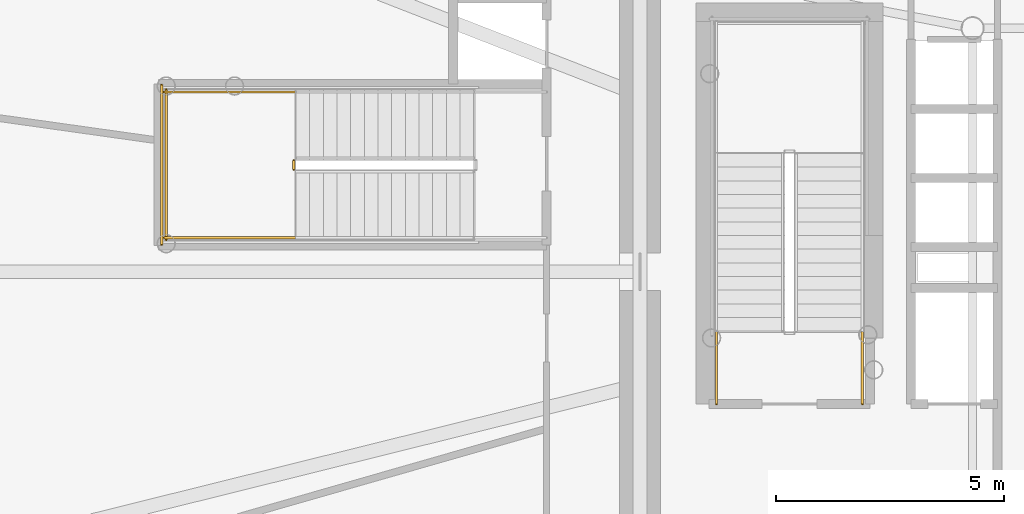
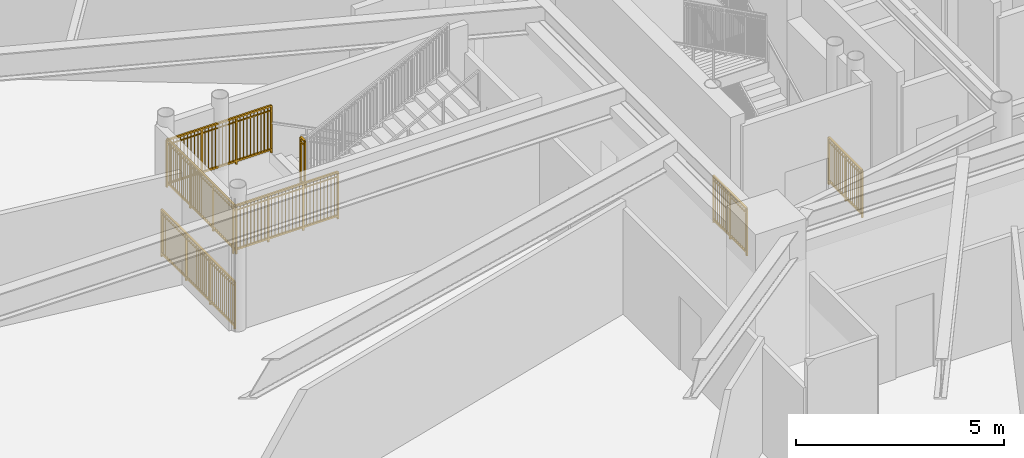
# One storey, part 18 of 27: 7 railings.
"""IFC4 building model written with IfcOpenShell, lengths in metres."""

from ifc_helpers import new_model, si_unit, direction, frame, origin, origin_2d, place, context, subcontext, project, spatial, rectangle, extrude, source, transform, mapped, material, type_object, element, save


model = new_model("IFC4")

# Units and contexts
model_context = context("Model", 3, precision=1e-05, world=origin(), true_north=direction((0.0, 1.0)))
body_context = subcontext(model_context, "Body", "Model", "MODEL_VIEW")
ifc_project = project(units=[si_unit("LENGTHUNIT", "METRE"), si_unit("AREAUNIT", "SQUARE_METRE"), si_unit("VOLUMEUNIT", "CUBIC_METRE"), si_unit("PLANEANGLEUNIT", "RADIAN"), si_unit("MASSUNIT", "GRAM", prefix="KILO")], contexts=[model_context])

# Site, building, storey
site_placement = place(None, origin())
site = spatial("IfcSite", under=ifc_project, at=site_placement, CompositionType="ELEMENT")
building_placement = place(site_placement, origin())
building = spatial("IfcBuilding", under=site, at=building_placement, Name="Linh Dai School and Residence Tower", CompositionType="ELEMENT")
storey_placement = place(building_placement, frame((0.0, 0.0, 18.60009765625)))
storey = spatial("IfcBuildingStorey", under=building, at=storey_placement, Name="L04", CompositionType="ELEMENT", Elevation=18.60009765625)

# Railings
ifc_material = material(Name="Structural Steel S355JR", Category="steel")
railing_type = type_object("IfcRailingType", Name="RL-ST-GUARD-1400", PredefinedType="GUARDRAIL", material=ifc_material)
shared_shape_1 = source(origin(), body_context, "Body", "SweptSolid", [
    extrude(rectangle(XDim=0.048095703125, YDim=0.048095703125, at=origin_2d()), frame((0.0, 0.0, 1.3759765625), z_axis=(0.0, 1.0, 0.0), x_axis=(-1.0, 0.0, 0.0)), (0.0, 0.0, 1.0), 1.599853515625),
    extrude(rectangle(XDim=0.048095703125, YDim=0.048095703125, at=origin_2d()), frame((0.0, 0.0, 0.10009765625), z_axis=(0.0, 1.0, 0.0), x_axis=(-1.0, 0.0, 0.0)), (0.0, 0.0, 1.0), 1.599853515625),
    extrude(rectangle(XDim=0.030029296875, YDim=0.030029296875, at=origin_2d()), frame((0.0, 0.0, 1.239990234375), z_axis=(0.0, 1.0, 0.0), x_axis=(-1.0, 0.0, 0.0)), (0.0, 0.0, 1.0), 1.599853515625),
    extrude(rectangle(XDim=0.02001953125, YDim=0.02001953125, at=origin_2d()), frame((0.0, 0.093994140625, 0.10009765625)), (0.0, 0.0, 1.0), 1.251708984375),
    extrude(rectangle(XDim=0.02001953125, YDim=0.02001953125, at=origin_2d()), frame((0.0, 0.188232421875, 0.10009765625)), (0.0, 0.0, 1.0), 1.251708984375),
    extrude(rectangle(XDim=0.02001953125, YDim=0.02001953125, at=origin_2d()), frame((0.0, 0.2822265625, 0.10009765625)), (0.0, 0.0, 1.0), 1.251708984375),
    extrude(rectangle(XDim=0.02001953125, YDim=0.02001953125, at=origin_2d()), frame((0.0, 0.37646484375, 0.10009765625)), (0.0, 0.0, 1.0), 1.251708984375),
    extrude(rectangle(XDim=0.02001953125, YDim=0.02001953125, at=origin_2d()), frame((0.0, 0.470458984375, 0.10009765625)), (0.0, 0.0, 1.0), 1.251708984375),
    extrude(rectangle(XDim=0.02001953125, YDim=0.02001953125, at=origin_2d()), frame((0.0, 0.564697265625, 0.10009765625)), (0.0, 0.0, 1.0), 1.251708984375),
    extrude(rectangle(XDim=0.02001953125, YDim=0.02001953125, at=origin_2d()), frame((0.0, 0.65869140625, 0.10009765625)), (0.0, 0.0, 1.0), 1.251708984375),
    extrude(rectangle(XDim=0.02001953125, YDim=0.02001953125, at=origin_2d()), frame((0.0, 0.7529296875, 0.10009765625)), (0.0, 0.0, 1.0), 1.251708984375),
    extrude(rectangle(XDim=0.02001953125, YDim=0.02001953125, at=origin_2d()), frame((0.0, 0.846923828125, 0.10009765625)), (0.0, 0.0, 1.0), 1.251708984375),
    extrude(rectangle(XDim=0.02001953125, YDim=0.02001953125, at=origin_2d()), frame((0.0, 0.941162109375, 0.10009765625)), (0.0, 0.0, 1.0), 1.251708984375),
    extrude(rectangle(XDim=0.02001953125, YDim=0.02001953125, at=origin_2d()), frame((0.0, 1.03515625, 0.10009765625)), (0.0, 0.0, 1.0), 1.251708984375),
    extrude(rectangle(XDim=0.02001953125, YDim=0.02001953125, at=origin_2d()), frame((0.0, 1.12939453125, 0.10009765625)), (0.0, 0.0, 1.0), 1.251708984375),
    extrude(rectangle(XDim=0.02001953125, YDim=0.02001953125, at=origin_2d()), frame((0.0, 1.223388671875, 0.10009765625)), (0.0, 0.0, 1.0), 1.251708984375),
    extrude(rectangle(XDim=0.02001953125, YDim=0.02001953125, at=origin_2d()), frame((0.0, 1.317626953125, 0.10009765625)), (0.0, 0.0, 1.0), 1.251708984375),
    extrude(rectangle(XDim=0.02001953125, YDim=0.02001953125, at=origin_2d()), frame((0.0, 1.41162109375, 0.10009765625)), (0.0, 0.0, 1.0), 1.251708984375),
    extrude(rectangle(XDim=0.02001953125, YDim=0.02001953125, at=origin_2d()), frame((0.0, 1.505859375, 0.10009765625)), (0.0, 0.0, 1.0), 1.251708984375),
    extrude(rectangle(XDim=0.0419921875, YDim=0.0419921875, at=origin_2d()), origin(), (0.0, 0.0, 1.0), 1.3759765625),
    extrude(rectangle(XDim=0.0419921875, YDim=0.0419921875, at=origin_2d()), frame((0.0, 0.7998046875, 0.0)), (0.0, 0.0, 1.0), 1.3759765625),
    extrude(rectangle(XDim=0.0419921875, YDim=0.0419921875, at=origin_2d()), frame((0.0, 1.599853515625, 0.0)), (0.0, 0.0, 1.0), 1.3759765625),
])
for number, where, name in (
    (1, (30.929931640625, 24.10009765625, 0.0), "L04 ST1 stair guard 8"),
    (2, (27.72998046875, 24.10009765625, 0.0), "L04 ST1 stair guard 9"),
):
    element("IfcRailing", number, at=place(storey_placement, frame(where)), inside=storey, type_object=railing_type, Name=name, PredefinedType="GUARDRAIL", context=body_context, shape_type="MappedRepresentation", body=[
        mapped(shared_shape_1, transform((0.0, 0.0, 0.0), x_axis=(1.0, 0.0, 0.0), y_axis=(0.0, 1.0, 0.0), z_axis=(0.0, 0.0, 1.0), scale=1.0)),
    ])
shared_shape_2 = source(origin(), body_context, "Body", "SweptSolid", [
    extrude(rectangle(XDim=0.048095703125, YDim=0.048095703125, at=origin_2d()), frame((0.0, 0.0, 1.3759765625), z_axis=(0.0, -1.0, 0.0), x_axis=(1.0, 0.0, 0.0)), (0.0, 0.0, 1.0), 0.199951171875),
    extrude(rectangle(XDim=0.048095703125, YDim=0.048095703125, at=origin_2d()), frame((0.0, 0.0, 0.10009765625), z_axis=(0.0, -1.0, 0.0), x_axis=(1.0, 0.0, 0.0)), (0.0, 0.0, 1.0), 0.199951171875),
    extrude(rectangle(XDim=0.030029296875, YDim=0.030029296875, at=origin_2d()), frame((0.0, 0.0, 1.239990234375), z_axis=(0.0, -1.0, 0.0), x_axis=(1.0, 0.0, 0.0)), (0.0, 0.0, 1.0), 0.199951171875),
    extrude(rectangle(XDim=0.0419921875, YDim=0.0419921875, at=origin_2d()), origin(), (0.0, 0.0, 1.0), 1.3759765625),
    extrude(rectangle(XDim=0.0419921875, YDim=0.0419921875, at=origin_2d()), frame((0.0, -0.199951171875, 0.0)), (0.0, 0.0, 1.0), 1.3759765625),
])
railing_1_placement = place(storey_placement, frame((18.449951171875, 29.449951171875, 2.099853515625)))
element("IfcRailing", 3, at=railing_1_placement, inside=storey, type_object=railing_type, Name="L04 STS1 stair guard 2", PredefinedType="GUARDRAIL", context=body_context, shape_type="MappedRepresentation", body=[
    mapped(shared_shape_2, transform((0.0, 0.0, 0.0), x_axis=(1.0, 0.0, 0.0), y_axis=(0.0, 1.0, 0.0), z_axis=(0.0, 0.0, 1.0), scale=1.0)),
])
shared_shape_3 = source(origin(), body_context, "Body", "SweptSolid", [
    extrude(rectangle(XDim=0.048095703125, YDim=0.048095703125, at=origin_2d()), frame((0.0, 0.0, 1.3759765625), z_axis=(0.0, -1.0, 0.0), x_axis=(1.0, 0.0, 0.0)), (0.0, 0.0, 1.0), 3.300048828125),
    extrude(rectangle(XDim=0.048095703125, YDim=0.048095703125, at=origin_2d()), frame((0.0, 0.0, 0.10009765625), z_axis=(0.0, -1.0, 0.0), x_axis=(1.0, 0.0, 0.0)), (0.0, 0.0, 1.0), 3.300048828125),
    extrude(rectangle(XDim=0.030029296875, YDim=0.030029296875, at=origin_2d()), frame((0.0, 0.0, 1.239990234375), z_axis=(0.0, -1.0, 0.0), x_axis=(1.0, 0.0, 0.0)), (0.0, 0.0, 1.0), 3.300048828125),
    extrude(rectangle(XDim=0.02001953125, YDim=0.02001953125, at=origin_2d()), frame((0.0, -0.09716796875, 0.10009765625)), (0.0, 0.0, 1.0), 1.251708984375),
    extrude(rectangle(XDim=0.02001953125, YDim=0.02001953125, at=origin_2d()), frame((0.0, -0.194091796875, 0.10009765625)), (0.0, 0.0, 1.0), 1.251708984375),
    extrude(rectangle(XDim=0.02001953125, YDim=0.02001953125, at=origin_2d()), frame((0.0, -0.291259765625, 0.10009765625)), (0.0, 0.0, 1.0), 1.251708984375),
    extrude(rectangle(XDim=0.02001953125, YDim=0.02001953125, at=origin_2d()), frame((0.0, -0.38818359375, 0.10009765625)), (0.0, 0.0, 1.0), 1.251708984375),
    extrude(rectangle(XDim=0.02001953125, YDim=0.02001953125, at=origin_2d()), frame((0.0, -0.4853515625, 0.10009765625)), (0.0, 0.0, 1.0), 1.251708984375),
    extrude(rectangle(XDim=0.02001953125, YDim=0.02001953125, at=origin_2d()), frame((0.0, -0.582275390625, 0.10009765625)), (0.0, 0.0, 1.0), 1.251708984375),
    extrude(rectangle(XDim=0.02001953125, YDim=0.02001953125, at=origin_2d()), frame((0.0, -0.679443359375, 0.10009765625)), (0.0, 0.0, 1.0), 1.251708984375),
    extrude(rectangle(XDim=0.02001953125, YDim=0.02001953125, at=origin_2d()), frame((0.0, -0.7763671875, 0.10009765625)), (0.0, 0.0, 1.0), 1.251708984375),
    extrude(rectangle(XDim=0.02001953125, YDim=0.02001953125, at=origin_2d()), frame((0.0, -0.87353515625, 0.10009765625)), (0.0, 0.0, 1.0), 1.251708984375),
    extrude(rectangle(XDim=0.02001953125, YDim=0.02001953125, at=origin_2d()), frame((0.0, -0.970703125, 0.10009765625)), (0.0, 0.0, 1.0), 1.251708984375),
    extrude(rectangle(XDim=0.02001953125, YDim=0.02001953125, at=origin_2d()), frame((0.0, -1.164794921875, 0.10009765625)), (0.0, 0.0, 1.0), 1.251708984375),
    extrude(rectangle(XDim=0.02001953125, YDim=0.02001953125, at=origin_2d()), frame((0.0, -1.26171875, 0.10009765625)), (0.0, 0.0, 1.0), 1.251708984375),
    extrude(rectangle(XDim=0.02001953125, YDim=0.02001953125, at=origin_2d()), frame((0.0, -1.35888671875, 0.10009765625)), (0.0, 0.0, 1.0), 1.251708984375),
    extrude(rectangle(XDim=0.02001953125, YDim=0.02001953125, at=origin_2d()), frame((0.0, -1.455810546875, 0.10009765625)), (0.0, 0.0, 1.0), 1.251708984375),
    extrude(rectangle(XDim=0.02001953125, YDim=0.02001953125, at=origin_2d()), frame((0.0, -1.552978515625, 0.10009765625)), (0.0, 0.0, 1.0), 1.251708984375),
    extrude(rectangle(XDim=0.02001953125, YDim=0.02001953125, at=origin_2d()), frame((0.0, -1.64990234375, 0.10009765625)), (0.0, 0.0, 1.0), 1.251708984375),
    extrude(rectangle(XDim=0.02001953125, YDim=0.02001953125, at=origin_2d()), frame((0.0, -1.7470703125, 0.10009765625)), (0.0, 0.0, 1.0), 1.251708984375),
    extrude(rectangle(XDim=0.02001953125, YDim=0.02001953125, at=origin_2d()), frame((0.0, -1.84423828125, 0.10009765625)), (0.0, 0.0, 1.0), 1.251708984375),
    extrude(rectangle(XDim=0.02001953125, YDim=0.02001953125, at=origin_2d()), frame((0.0, -1.941162109375, 0.10009765625)), (0.0, 0.0, 1.0), 1.251708984375),
    extrude(rectangle(XDim=0.02001953125, YDim=0.02001953125, at=origin_2d()), frame((0.0, -2.038330078125, 0.10009765625)), (0.0, 0.0, 1.0), 1.251708984375),
    extrude(rectangle(XDim=0.02001953125, YDim=0.02001953125, at=origin_2d()), frame((0.0, -2.13525390625, 0.10009765625)), (0.0, 0.0, 1.0), 1.251708984375),
    extrude(rectangle(XDim=0.02001953125, YDim=0.02001953125, at=origin_2d()), frame((0.0, -2.329345703125, 0.10009765625)), (0.0, 0.0, 1.0), 1.251708984375),
    extrude(rectangle(XDim=0.02001953125, YDim=0.02001953125, at=origin_2d()), frame((0.0, -2.426513671875, 0.10009765625)), (0.0, 0.0, 1.0), 1.251708984375),
    extrude(rectangle(XDim=0.02001953125, YDim=0.02001953125, at=origin_2d()), frame((0.0, -2.523681640625, 0.10009765625)), (0.0, 0.0, 1.0), 1.251708984375),
    extrude(rectangle(XDim=0.02001953125, YDim=0.02001953125, at=origin_2d()), frame((0.0, -2.62060546875, 0.10009765625)), (0.0, 0.0, 1.0), 1.251708984375),
    extrude(rectangle(XDim=0.02001953125, YDim=0.02001953125, at=origin_2d()), frame((0.0, -2.7177734375, 0.10009765625)), (0.0, 0.0, 1.0), 1.251708984375),
    extrude(rectangle(XDim=0.02001953125, YDim=0.02001953125, at=origin_2d()), frame((0.0, -2.814697265625, 0.10009765625)), (0.0, 0.0, 1.0), 1.251708984375),
    extrude(rectangle(XDim=0.02001953125, YDim=0.02001953125, at=origin_2d()), frame((0.0, -2.911865234375, 0.10009765625)), (0.0, 0.0, 1.0), 1.251708984375),
    extrude(rectangle(XDim=0.02001953125, YDim=0.02001953125, at=origin_2d()), frame((0.0, -3.0087890625, 0.10009765625)), (0.0, 0.0, 1.0), 1.251708984375),
    extrude(rectangle(XDim=0.02001953125, YDim=0.02001953125, at=origin_2d()), frame((0.0, -3.10595703125, 0.10009765625)), (0.0, 0.0, 1.0), 1.251708984375),
    extrude(rectangle(XDim=0.02001953125, YDim=0.02001953125, at=origin_2d()), frame((0.0, -3.202880859375, 0.10009765625)), (0.0, 0.0, 1.0), 1.251708984375),
    extrude(rectangle(XDim=0.0419921875, YDim=0.0419921875, at=origin_2d()), origin(), (0.0, 0.0, 1.0), 1.3759765625),
    extrude(rectangle(XDim=0.0419921875, YDim=0.0419921875, at=origin_2d()), frame((0.0, -1.10009765625, 0.0)), (0.0, 0.0, 1.0), 1.3759765625),
    extrude(rectangle(XDim=0.0419921875, YDim=0.0419921875, at=origin_2d()), frame((0.0, -2.199951171875, 0.0)), (0.0, 0.0, 1.0), 1.3759765625),
    extrude(rectangle(XDim=0.0419921875, YDim=0.0419921875, at=origin_2d()), frame((0.0, -3.300048828125, 0.0)), (0.0, 0.0, 1.0), 1.3759765625),
])
railing_2_placement = place(storey_placement, frame((15.64990234375, 31.0, 2.099853515625)))
element("IfcRailing", 4, at=railing_2_placement, inside=storey, type_object=railing_type, Name="L04 STS1 stair guard 5", PredefinedType="GUARDRAIL", context=body_context, shape_type="MappedRepresentation", body=[
    mapped(shared_shape_3, transform((0.0, 0.0, 0.0), x_axis=(1.0, 0.0, 0.0), y_axis=(0.0, 1.0, 0.0), z_axis=(0.0, 0.0, 1.0), scale=1.0)),
])
shared_shape_4 = source(origin(), body_context, "Body", "SweptSolid", [
    extrude(rectangle(XDim=0.048095703125, YDim=0.048095703125, at=origin_2d()), frame((0.0, 0.0, 1.3759765625), z_axis=(-1.0, 0.0, 0.0), x_axis=(0.0, -1.0, 0.0)), (0.0, 0.0, 1.0), 2.89990234375),
    extrude(rectangle(XDim=0.048095703125, YDim=0.048095703125, at=origin_2d()), frame((0.0, 0.0, 0.10009765625), z_axis=(-1.0, 0.0, 0.0), x_axis=(0.0, -1.0, 0.0)), (0.0, 0.0, 1.0), 2.89990234375),
    extrude(rectangle(XDim=0.030029296875, YDim=0.030029296875, at=origin_2d()), frame((0.0, 0.0, 1.239990234375), z_axis=(-1.0, 0.0, 0.0), x_axis=(0.0, -1.0, 0.0)), (0.0, 0.0, 1.0), 2.89990234375),
    extrude(rectangle(XDim=0.02001953125, YDim=0.02001953125, at=origin_2d()), frame((-0.0966796875, 0.0, 0.10009765625)), (0.0, 0.0, 1.0), 1.251708984375),
    extrude(rectangle(XDim=0.02001953125, YDim=0.02001953125, at=origin_2d()), frame((-0.193359375, 0.0, 0.10009765625)), (0.0, 0.0, 1.0), 1.251708984375),
    extrude(rectangle(XDim=0.02001953125, YDim=0.02001953125, at=origin_2d()), frame((-0.2900390625, 0.0, 0.10009765625)), (0.0, 0.0, 1.0), 1.251708984375),
    extrude(rectangle(XDim=0.02001953125, YDim=0.02001953125, at=origin_2d()), frame((-0.38671875, 0.0, 0.10009765625)), (0.0, 0.0, 1.0), 1.251708984375),
    extrude(rectangle(XDim=0.02001953125, YDim=0.02001953125, at=origin_2d()), frame((-0.4833984375, 0.0, 0.10009765625)), (0.0, 0.0, 1.0), 1.251708984375),
    extrude(rectangle(XDim=0.02001953125, YDim=0.02001953125, at=origin_2d()), frame((-0.580078125, 0.0, 0.10009765625)), (0.0, 0.0, 1.0), 1.251708984375),
    extrude(rectangle(XDim=0.02001953125, YDim=0.02001953125, at=origin_2d()), frame((-0.6767578125, 0.0, 0.10009765625)), (0.0, 0.0, 1.0), 1.251708984375),
    extrude(rectangle(XDim=0.02001953125, YDim=0.02001953125, at=origin_2d()), frame((-0.773193359375, 0.0, 0.10009765625)), (0.0, 0.0, 1.0), 1.251708984375),
    extrude(rectangle(XDim=0.02001953125, YDim=0.02001953125, at=origin_2d()), frame((-0.869873046875, 0.0, 0.10009765625)), (0.0, 0.0, 1.0), 1.251708984375),
    extrude(rectangle(XDim=0.02001953125, YDim=0.02001953125, at=origin_2d()), frame((-1.063232421875, 0.0, 0.10009765625)), (0.0, 0.0, 1.0), 1.251708984375),
    extrude(rectangle(XDim=0.02001953125, YDim=0.02001953125, at=origin_2d()), frame((-1.159912109375, 0.0, 0.10009765625)), (0.0, 0.0, 1.0), 1.251708984375),
    extrude(rectangle(XDim=0.02001953125, YDim=0.02001953125, at=origin_2d()), frame((-1.256591796875, 0.0, 0.10009765625)), (0.0, 0.0, 1.0), 1.251708984375),
    extrude(rectangle(XDim=0.02001953125, YDim=0.02001953125, at=origin_2d()), frame((-1.353271484375, 0.0, 0.10009765625)), (0.0, 0.0, 1.0), 1.251708984375),
    extrude(rectangle(XDim=0.02001953125, YDim=0.02001953125, at=origin_2d()), frame((-1.449951171875, 0.0, 0.10009765625)), (0.0, 0.0, 1.0), 1.251708984375),
    extrude(rectangle(XDim=0.02001953125, YDim=0.02001953125, at=origin_2d()), frame((-1.546630859375, 0.0, 0.10009765625)), (0.0, 0.0, 1.0), 1.251708984375),
    extrude(rectangle(XDim=0.02001953125, YDim=0.02001953125, at=origin_2d()), frame((-1.643310546875, 0.0, 0.10009765625)), (0.0, 0.0, 1.0), 1.251708984375),
    extrude(rectangle(XDim=0.02001953125, YDim=0.02001953125, at=origin_2d()), frame((-1.739990234375, 0.0, 0.10009765625)), (0.0, 0.0, 1.0), 1.251708984375),
    extrude(rectangle(XDim=0.02001953125, YDim=0.02001953125, at=origin_2d()), frame((-1.836669921875, 0.0, 0.10009765625)), (0.0, 0.0, 1.0), 1.251708984375),
    extrude(rectangle(XDim=0.02001953125, YDim=0.02001953125, at=origin_2d()), frame((-2.030029296875, 0.0, 0.10009765625)), (0.0, 0.0, 1.0), 1.251708984375),
    extrude(rectangle(XDim=0.02001953125, YDim=0.02001953125, at=origin_2d()), frame((-2.126708984375, 0.0, 0.10009765625)), (0.0, 0.0, 1.0), 1.251708984375),
    extrude(rectangle(XDim=0.02001953125, YDim=0.02001953125, at=origin_2d()), frame((-2.22314453125, 0.0, 0.10009765625)), (0.0, 0.0, 1.0), 1.251708984375),
    extrude(rectangle(XDim=0.02001953125, YDim=0.02001953125, at=origin_2d()), frame((-2.31982421875, 0.0, 0.10009765625)), (0.0, 0.0, 1.0), 1.251708984375),
    extrude(rectangle(XDim=0.02001953125, YDim=0.02001953125, at=origin_2d()), frame((-2.41650390625, 0.0, 0.10009765625)), (0.0, 0.0, 1.0), 1.251708984375),
    extrude(rectangle(XDim=0.02001953125, YDim=0.02001953125, at=origin_2d()), frame((-2.51318359375, 0.0, 0.10009765625)), (0.0, 0.0, 1.0), 1.251708984375),
    extrude(rectangle(XDim=0.02001953125, YDim=0.02001953125, at=origin_2d()), frame((-2.60986328125, 0.0, 0.10009765625)), (0.0, 0.0, 1.0), 1.251708984375),
    extrude(rectangle(XDim=0.02001953125, YDim=0.02001953125, at=origin_2d()), frame((-2.70654296875, 0.0, 0.10009765625)), (0.0, 0.0, 1.0), 1.251708984375),
    extrude(rectangle(XDim=0.02001953125, YDim=0.02001953125, at=origin_2d()), frame((-2.80322265625, 0.0, 0.10009765625)), (0.0, 0.0, 1.0), 1.251708984375),
    extrude(rectangle(XDim=0.0419921875, YDim=0.0419921875, at=origin_2d()), origin(), (0.0, 0.0, 1.0), 1.3759765625),
    extrude(rectangle(XDim=0.0419921875, YDim=0.0419921875, at=origin_2d()), frame((-0.966552734375, 0.0, 0.0)), (0.0, 0.0, 1.0), 1.3759765625),
    extrude(rectangle(XDim=0.0419921875, YDim=0.0419921875, at=origin_2d()), frame((-1.933349609375, 0.0, 0.0)), (0.0, 0.0, 1.0), 1.3759765625),
    extrude(rectangle(XDim=0.0419921875, YDim=0.0419921875, at=origin_2d()), frame((-2.89990234375, 0.0, 0.0)), (0.0, 0.0, 1.0), 1.3759765625),
])
for number, where, name in (
    (5, (18.5, 30.949951171875, 2.099853515625), "L04 STS1 stair guard 3"),
    (6, (18.5, 27.75, 2.099853515625), "L04 STS1 stair guard 4"),
):
    element("IfcRailing", number, at=place(storey_placement, frame(where)), inside=storey, type_object=railing_type, Name=name, PredefinedType="GUARDRAIL", context=body_context, shape_type="MappedRepresentation", body=[
        mapped(shared_shape_4, transform((0.0, 0.0, 0.0), x_axis=(1.0, 0.0, 0.0), y_axis=(0.0, 1.0, 0.0), z_axis=(0.0, 0.0, 1.0), scale=1.0)),
    ])
shared_shape_5 = source(origin(), body_context, "Body", "SweptSolid", [
    extrude(rectangle(XDim=0.048095703125, YDim=0.048095703125, at=origin_2d()), frame((0.0, 0.0, 1.3759765625), z_axis=(0.0, -1.0, 0.0), x_axis=(1.0, 0.0, 0.0)), (0.0, 0.0, 1.0), 3.5),
    extrude(rectangle(XDim=0.048095703125, YDim=0.048095703125, at=origin_2d()), frame((0.0, 0.0, 0.10009765625), z_axis=(0.0, -1.0, 0.0), x_axis=(1.0, 0.0, 0.0)), (0.0, 0.0, 1.0), 3.5),
    extrude(rectangle(XDim=0.030029296875, YDim=0.030029296875, at=origin_2d()), frame((0.0, 0.0, 1.239990234375), z_axis=(0.0, -1.0, 0.0), x_axis=(1.0, 0.0, 0.0)), (0.0, 0.0, 1.0), 3.5),
    extrude(rectangle(XDim=0.02001953125, YDim=0.02001953125, at=origin_2d()), frame((0.0, -0.09716796875, 0.10009765625)), (0.0, 0.0, 1.0), 1.251708984375),
    extrude(rectangle(XDim=0.02001953125, YDim=0.02001953125, at=origin_2d()), frame((0.0, -0.1943359375, 0.10009765625)), (0.0, 0.0, 1.0), 1.251708984375),
    extrude(rectangle(XDim=0.02001953125, YDim=0.02001953125, at=origin_2d()), frame((0.0, -0.291748046875, 0.10009765625)), (0.0, 0.0, 1.0), 1.251708984375),
    extrude(rectangle(XDim=0.02001953125, YDim=0.02001953125, at=origin_2d()), frame((0.0, -0.388916015625, 0.10009765625)), (0.0, 0.0, 1.0), 1.251708984375),
    extrude(rectangle(XDim=0.02001953125, YDim=0.02001953125, at=origin_2d()), frame((0.0, -0.486083984375, 0.10009765625)), (0.0, 0.0, 1.0), 1.251708984375),
    extrude(rectangle(XDim=0.02001953125, YDim=0.02001953125, at=origin_2d()), frame((0.0, -0.583251953125, 0.10009765625)), (0.0, 0.0, 1.0), 1.251708984375),
    extrude(rectangle(XDim=0.02001953125, YDim=0.02001953125, at=origin_2d()), frame((0.0, -0.6806640625, 0.10009765625)), (0.0, 0.0, 1.0), 1.251708984375),
    extrude(rectangle(XDim=0.02001953125, YDim=0.02001953125, at=origin_2d()), frame((0.0, -0.77783203125, 0.10009765625)), (0.0, 0.0, 1.0), 1.251708984375),
    extrude(rectangle(XDim=0.02001953125, YDim=0.02001953125, at=origin_2d()), frame((0.0, -0.875, 0.10009765625)), (0.0, 0.0, 1.0), 1.251708984375),
    extrude(rectangle(XDim=0.02001953125, YDim=0.02001953125, at=origin_2d()), frame((0.0, -0.97216796875, 0.10009765625)), (0.0, 0.0, 1.0), 1.251708984375),
    extrude(rectangle(XDim=0.02001953125, YDim=0.02001953125, at=origin_2d()), frame((0.0, -1.0693359375, 0.10009765625)), (0.0, 0.0, 1.0), 1.251708984375),
    extrude(rectangle(XDim=0.02001953125, YDim=0.02001953125, at=origin_2d()), frame((0.0, -1.263916015625, 0.10009765625)), (0.0, 0.0, 1.0), 1.251708984375),
    extrude(rectangle(XDim=0.02001953125, YDim=0.02001953125, at=origin_2d()), frame((0.0, -1.361083984375, 0.10009765625)), (0.0, 0.0, 1.0), 1.251708984375),
    extrude(rectangle(XDim=0.02001953125, YDim=0.02001953125, at=origin_2d()), frame((0.0, -1.458251953125, 0.10009765625)), (0.0, 0.0, 1.0), 1.251708984375),
    extrude(rectangle(XDim=0.02001953125, YDim=0.02001953125, at=origin_2d()), frame((0.0, -1.5556640625, 0.10009765625)), (0.0, 0.0, 1.0), 1.251708984375),
    extrude(rectangle(XDim=0.02001953125, YDim=0.02001953125, at=origin_2d()), frame((0.0, -1.65283203125, 0.10009765625)), (0.0, 0.0, 1.0), 1.251708984375),
    extrude(rectangle(XDim=0.02001953125, YDim=0.02001953125, at=origin_2d()), frame((0.0, -1.75, 0.10009765625)), (0.0, 0.0, 1.0), 1.251708984375),
    extrude(rectangle(XDim=0.02001953125, YDim=0.02001953125, at=origin_2d()), frame((0.0, -1.84716796875, 0.10009765625)), (0.0, 0.0, 1.0), 1.251708984375),
    extrude(rectangle(XDim=0.02001953125, YDim=0.02001953125, at=origin_2d()), frame((0.0, -1.9443359375, 0.10009765625)), (0.0, 0.0, 1.0), 1.251708984375),
    extrude(rectangle(XDim=0.02001953125, YDim=0.02001953125, at=origin_2d()), frame((0.0, -2.041748046875, 0.10009765625)), (0.0, 0.0, 1.0), 1.251708984375),
    extrude(rectangle(XDim=0.02001953125, YDim=0.02001953125, at=origin_2d()), frame((0.0, -2.138916015625, 0.10009765625)), (0.0, 0.0, 1.0), 1.251708984375),
    extrude(rectangle(XDim=0.02001953125, YDim=0.02001953125, at=origin_2d()), frame((0.0, -2.236083984375, 0.10009765625)), (0.0, 0.0, 1.0), 1.251708984375),
    extrude(rectangle(XDim=0.02001953125, YDim=0.02001953125, at=origin_2d()), frame((0.0, -2.4306640625, 0.10009765625)), (0.0, 0.0, 1.0), 1.251708984375),
    extrude(rectangle(XDim=0.02001953125, YDim=0.02001953125, at=origin_2d()), frame((0.0, -2.52783203125, 0.10009765625)), (0.0, 0.0, 1.0), 1.251708984375),
    extrude(rectangle(XDim=0.02001953125, YDim=0.02001953125, at=origin_2d()), frame((0.0, -2.625, 0.10009765625)), (0.0, 0.0, 1.0), 1.251708984375),
    extrude(rectangle(XDim=0.02001953125, YDim=0.02001953125, at=origin_2d()), frame((0.0, -2.72216796875, 0.10009765625)), (0.0, 0.0, 1.0), 1.251708984375),
    extrude(rectangle(XDim=0.02001953125, YDim=0.02001953125, at=origin_2d()), frame((0.0, -2.8193359375, 0.10009765625)), (0.0, 0.0, 1.0), 1.251708984375),
    extrude(rectangle(XDim=0.02001953125, YDim=0.02001953125, at=origin_2d()), frame((0.0, -2.916748046875, 0.10009765625)), (0.0, 0.0, 1.0), 1.251708984375),
    extrude(rectangle(XDim=0.02001953125, YDim=0.02001953125, at=origin_2d()), frame((0.0, -3.013916015625, 0.10009765625)), (0.0, 0.0, 1.0), 1.251708984375),
    extrude(rectangle(XDim=0.02001953125, YDim=0.02001953125, at=origin_2d()), frame((0.0, -3.111083984375, 0.10009765625)), (0.0, 0.0, 1.0), 1.251708984375),
    extrude(rectangle(XDim=0.02001953125, YDim=0.02001953125, at=origin_2d()), frame((0.0, -3.208251953125, 0.10009765625)), (0.0, 0.0, 1.0), 1.251708984375),
    extrude(rectangle(XDim=0.02001953125, YDim=0.02001953125, at=origin_2d()), frame((0.0, -3.3056640625, 0.10009765625)), (0.0, 0.0, 1.0), 1.251708984375),
    extrude(rectangle(XDim=0.02001953125, YDim=0.02001953125, at=origin_2d()), frame((0.0, -3.40283203125, 0.10009765625)), (0.0, 0.0, 1.0), 1.251708984375),
    extrude(rectangle(XDim=0.0419921875, YDim=0.0419921875, at=origin_2d()), origin(), (0.0, 0.0, 1.0), 1.3759765625),
    extrude(rectangle(XDim=0.0419921875, YDim=0.0419921875, at=origin_2d()), frame((0.0, -1.166748046875, 0.0)), (0.0, 0.0, 1.0), 1.3759765625),
    extrude(rectangle(XDim=0.0419921875, YDim=0.0419921875, at=origin_2d()), frame((0.0, -2.333251953125, 0.0)), (0.0, 0.0, 1.0), 1.3759765625),
    extrude(rectangle(XDim=0.0419921875, YDim=0.0419921875, at=origin_2d()), frame((0.0, -3.5, 0.0)), (0.0, 0.0, 1.0), 1.3759765625),
])
railing_3_placement = place(storey_placement, frame((15.550048828125, 31.10009765625, 0.0)))
element("IfcRailing", 7, at=railing_3_placement, inside=storey, type_object=railing_type, Name="L04 STS1 stair guard 12", PredefinedType="GUARDRAIL", context=body_context, shape_type="MappedRepresentation", body=[
    mapped(shared_shape_5, transform((0.0, 0.0, 0.0), x_axis=(1.0, 0.0, 0.0), y_axis=(0.0, 1.0, 0.0), z_axis=(0.0, 0.0, 1.0), scale=1.0)),
])

save(model, "model.ifc")
